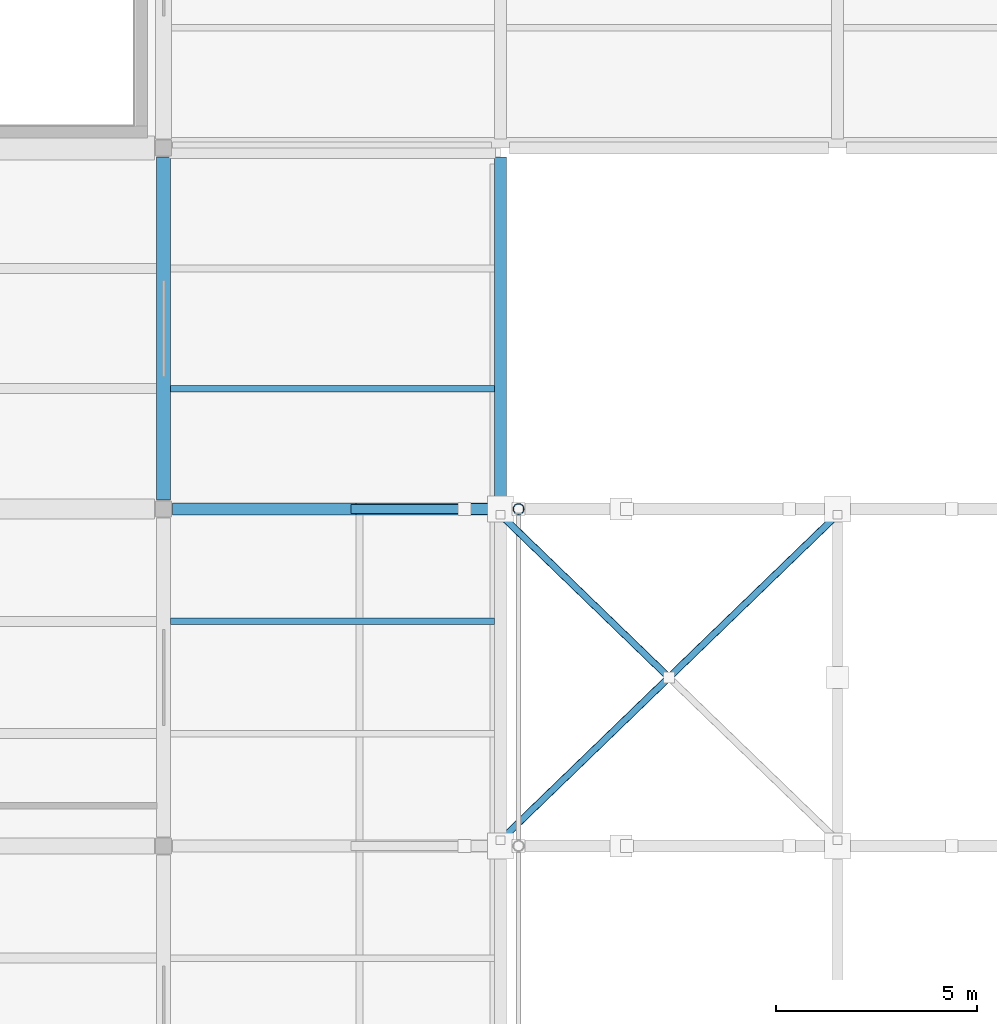
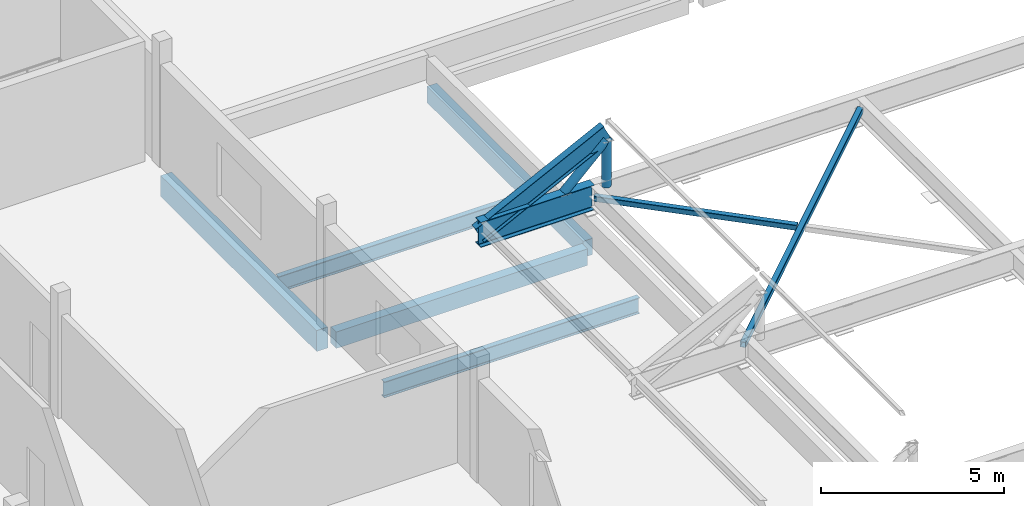
# One storey, part 16 of 41: 7 beams, 4 members.
"""IFC4 building model written with IfcOpenShell, lengths in metres."""

from ifc_helpers import new_model, si_unit, direction, frame, origin, origin_2d, place, context, subcontext, project, spatial, rectangle, hollow_rectangle, hollow_circle, i_section, extrude, material, material_profile, profile_set, type_object, element, save


model = new_model("IFC4")

# Units and contexts
model_context = context("Model", 3, precision=1e-05, world=origin(), true_north=direction((0.0, 1.0)))
body_context = subcontext(model_context, "Body", "Model", "MODEL_VIEW")
ifc_project = project(units=[si_unit("LENGTHUNIT", "METRE"), si_unit("AREAUNIT", "SQUARE_METRE"), si_unit("VOLUMEUNIT", "CUBIC_METRE"), si_unit("PLANEANGLEUNIT", "RADIAN"), si_unit("MASSUNIT", "GRAM", prefix="KILO")], contexts=[model_context])

# Site, building, storey
site_placement = place(None, origin())
site = spatial("IfcSite", under=ifc_project, at=site_placement, CompositionType="ELEMENT")
building_placement = place(site_placement, origin())
building = spatial("IfcBuilding", under=site, at=building_placement, Name="Vireocrest Preparatory School", CompositionType="ELEMENT")
storey_placement = place(building_placement, frame((0.0, 0.0, 21.60009765625)))
storey = spatial("IfcBuildingStorey", under=building, at=storey_placement, Name="L05", CompositionType="ELEMENT", Elevation=21.60009765625)

# Members
ifc_material_1 = material(Name="Painted white steel ASTM A500 Grade C", Category="steel")
ifc_material_profile_1 = material_profile(ifc_material_1, hollow_rectangle(XDim=0.177734375, YDim=0.177734375, WallThickness=0.0087890625, InnerFilletRadius=0.0087890625, OuterFilletRadius=0.017822265625, at=origin_2d()), Name="HSS7X7X3/8")
ifc_profile_set_1 = profile_set([ifc_material_profile_1], Name="Painted white steel ASTM A500 Grade C")
member_type_1 = type_object("IfcMemberType", Name="Canopy Plane Wind Brace HSS7X7X3/8", PredefinedType="BRACE", material=ifc_profile_set_1)
member_1_placement = place(storey_placement, frame((67.199951171875, 77.5400390625, 1.41748046875), z_axis=(0.718999862648, 0.695010213963, 0.0), x_axis=(-0.695010213963, 0.718999862648, 0.0)))
element("IfcMember", 1, at=member_1_placement, inside=storey, type_object=member_type_1, Name="Canopy Wind Brace BR2-7-W", PredefinedType="BRACE", context=body_context, shape_type="SweptSolid", body=[
    extrude(hollow_rectangle(XDim=0.177734375, YDim=0.177734375, WallThickness=0.0087890625, InnerFilletRadius=0.0087890625, OuterFilletRadius=0.017822265625, at=origin_2d()), origin(), (0.0, 0.0, 1.0), 11.68310546875),
])
member_2_placement = place(storey_placement, frame((67.199951171875, 85.659912109375, 1.41748046875), z_axis=(0.718995483653, -0.695014744079, 0.0), x_axis=(0.695014744079, 0.718995483653, 0.0)))
element("IfcMember", 2, at=member_2_placement, inside=storey, type_object=member_type_1, Name="Canopy Split Wind X-Brace BR2-7-W-1", PredefinedType="BRACE", context=body_context, shape_type="SweptSolid", body=[
    extrude(hollow_rectangle(XDim=0.177734375, YDim=0.177734375, WallThickness=0.0087890625, InnerFilletRadius=0.0087890625, OuterFilletRadius=0.017822265625, at=origin_2d()), origin(), (0.0, 0.0, 1.0), 5.721435546875),
])

# Beams
ifc_material_2 = material(Name="Structural steel ASTM A992 Grade 50", Category="steel")
ifc_material_profile_2 = material_profile(ifc_material_2, i_section(OverallWidth=0.2919921875, OverallDepth=0.8349609375, WebThickness=0.013916015625, FlangeThickness=0.018798828125, FilletRadius=0.02001953125, at=origin_2d()), Name="W33X118")
ifc_profile_set_2 = profile_set([ifc_material_profile_2], Name="Structural steel ASTM A992 Grade 50")
beam_type_1 = type_object("IfcBeamType", Name="Central Court Canopy Primary Girder W33X118", PredefinedType="BEAM", material=ifc_profile_set_2)
beam_1_placement = place(storey_placement, frame((63.60009765625, 85.800048828125, 1.41748046875), z_axis=(1.0, 0.0, 0.0), x_axis=(0.0, 1.0, 0.0)))
element("IfcBeam", 3, at=beam_1_placement, inside=storey, type_object=beam_type_1, Name="Central Court Canopy Primary Girder CG1-8W", PredefinedType="BEAM", context=body_context, shape_type="SweptSolid", body=[
    extrude(i_section(OverallWidth=0.2919921875, OverallDepth=0.8349609375, WebThickness=0.013916015625, FlangeThickness=0.018798828125, FilletRadius=0.02001953125, at=origin_2d()), origin(), (0.0, 0.0, 1.0), 3.599853515625),
])
ifc_material_profile_3 = material_profile(ifc_material_2, i_section(OverallWidth=0.22802734375, OverallDepth=0.60302734375, WebThickness=0.010498046875, FlangeThickness=0.014892578125, FilletRadius=0.01611328125, at=origin_2d()), Name="W24X68")
ifc_profile_set_3 = profile_set([ifc_material_profile_3], Name="Structural steel ASTM A992 Grade 50")
beam_type_2 = type_object("IfcBeamType", Name="Dining Pavilion Roof Girder W24X68", PredefinedType="BEAM", material=ifc_profile_set_3)
beam_2_placement = place(storey_placement, frame((63.60009765625, 85.800048828125, 1.374267578125), z_axis=(0.894858343539, 0.0, 0.446350249243), x_axis=(0.0, 1.0, 0.0)))
element("IfcBeam", 4, at=beam_2_placement, inside=storey, type_object=beam_type_2, Name="Canopy Rafter Chord SB4-8-1", PredefinedType="BEAM", context=body_context, shape_type="SweptSolid", body=[
    extrude(i_section(OverallWidth=0.22802734375, OverallDepth=0.60302734375, WebThickness=0.010498046875, FlangeThickness=0.014892578125, FilletRadius=0.01611328125, at=origin_2d()), origin(), (0.0, 0.0, 1.0), 4.525634765625),
])
ifc_material_profile_4 = material_profile(ifc_material_2, i_section(OverallWidth=0.166015625, OverallDepth=0.529052734375, WebThickness=0.009765625, FlangeThickness=0.013671875, FilletRadius=0.014892578125, at=origin_2d()), Name="W21X50")
ifc_profile_set_4 = profile_set([ifc_material_profile_4], Name="Structural steel ASTM A992 Grade 50")
beam_type_3 = type_object("IfcBeamType", Name="Pavilion Roof Joist W21X50", PredefinedType="JOIST", material=ifc_profile_set_4)
for number, where, z_axis, x_axis, name in (
    (5, (58.97509765625, 83.0, -0.484619140625), (1.0, 0.0, 0.0), (0.0, 1.0, 0.0), "Secondary Joist SJ1 L05-1650"),
    (6, (58.97509765625, 88.800048828125, -0.484619140625), (1.0, 0.0, 0.0), (0.0, 1.0, 0.0), "Secondary Joist SJ1 L05-1651"),
):
    element("IfcBeam", number, at=place(storey_placement, frame(where, z_axis=z_axis, x_axis=x_axis)), inside=storey, type_object=beam_type_3, Name=name, PredefinedType="JOIST", context=body_context, shape_type="SweptSolid", body=[
        extrude(i_section(OverallWidth=0.166015625, OverallDepth=0.529052734375, WebThickness=0.009765625, FlangeThickness=0.013671875, FilletRadius=0.014892578125, at=origin_2d()), origin(), (0.0, 0.0, 1.0), 8.074951171875),
    ])
ifc_material_3 = material(Name="Concrete 40 MPa", Category="concrete")
ifc_material_profile_5 = material_profile(ifc_material_3, rectangle(XDim=0.35009765625, YDim=0.699951171875, at=origin_2d()), Name="RC 350x700")
ifc_profile_set_5 = profile_set([ifc_material_profile_5], Name="Concrete 40 MPa")
beam_type_4 = type_object("IfcBeamType", Name="RC Laboratory Girder 350x700", PredefinedType="BEAM", material=ifc_profile_set_5)
beam_3_placement = place(storey_placement, frame((58.800048828125, 86.02490234375, -0.610107421875), z_axis=(0.0, 1.0, 0.0), x_axis=(-1.0, 0.0, 0.0)))
element("IfcBeam", 7, at=beam_3_placement, inside=storey, type_object=beam_type_4, Name="Primary Girder B06 L05-1583", PredefinedType="BEAM", context=body_context, shape_type="SweptSolid", body=[
    extrude(rectangle(XDim=0.35009765625, YDim=0.699951171875, at=origin_2d()), origin(), (0.0, 0.0, 1.0), 8.550048828125),
])
ifc_material_profile_6 = material_profile(ifc_material_3, rectangle(XDim=0.300048828125, YDim=0.550048828125, at=origin_2d()), Name="RC 300x550")
ifc_profile_set_6 = profile_set([ifc_material_profile_6], Name="Concrete 40 MPa")
beam_type_5 = type_object("IfcBeamType", Name="RC Roof Girder 300x550", PredefinedType="BEAM", material=ifc_profile_set_6)
beam_4_placement = place(storey_placement, frame((59.02490234375, 85.800048828125, -0.4951171875), z_axis=(1.0, 0.0, 0.0), x_axis=(0.0, 1.0, 0.0)))
element("IfcBeam", 8, at=beam_4_placement, inside=storey, type_object=beam_type_5, Name="Primary Girder B02 L05-1544", PredefinedType="BEAM", context=body_context, shape_type="SweptSolid", body=[
    extrude(rectangle(XDim=0.300048828125, YDim=0.550048828125, at=origin_2d()), origin(), (0.0, 0.0, 1.0), 7.9501953125),
])
beam_5_placement = place(storey_placement, frame((67.199951171875, 86.02490234375, -0.4951171875), z_axis=(0.0, 1.0, 0.0), x_axis=(-1.0, 0.0, 0.0)))
element("IfcBeam", 9, at=beam_5_placement, inside=storey, type_object=beam_type_5, Name="Primary Girder B02 L05-1591", PredefinedType="BEAM", context=body_context, shape_type="SweptSolid", body=[
    extrude(rectangle(XDim=0.300048828125, YDim=0.550048828125, at=origin_2d()), origin(), (0.0, 0.0, 1.0), 8.550048828125),
])

# Members
ifc_material_profile_7 = material_profile(ifc_material_1, hollow_circle(Radius=0.136474609375, WallThickness=0.0126953125, at=origin_2d()), Name="HSS10.750X0.500")
ifc_profile_set_7 = profile_set([ifc_material_profile_7], Name="Painted white steel ASTM A500 Grade C")
member_type_2 = type_object("IfcMemberType", Name="White Steel Clerestory Strut HSS10.750X0.500", PredefinedType="USERDEFINED", material=ifc_profile_set_7)
member_3_placement = place(storey_placement, frame((67.64990234375, 85.800048828125, 1.577392578125), z_axis=(0.0, 0.0, 1.0), x_axis=(1.0, 0.0, 0.0)))
element("IfcMember", 10, at=member_3_placement, inside=storey, type_object=member_type_2, Name="Canopy Truss Web Vertical VS3-8-2", ObjectType="STRUT", PredefinedType="USERDEFINED", context=body_context, shape_type="SweptSolid", body=[
    extrude(hollow_circle(Radius=0.136474609375, WallThickness=0.0126953125, at=origin_2d()), origin(), (0.0, 0.0, 1.0), 1.54052734375),
])
member_4_placement = place(storey_placement, frame((66.300048828125, 85.800048828125, 1.81494140625), z_axis=(0.719488902292, 0.0, 0.694503937698), x_axis=(0.0, 1.0, 0.0)))
element("IfcMember", 11, at=member_4_placement, inside=storey, type_object=member_type_2, Name="Canopy Truss Web Strut VS3-8-1", ObjectType="STRUT", PredefinedType="USERDEFINED", context=body_context, shape_type="SweptSolid", body=[
    extrude(hollow_circle(Radius=0.136474609375, WallThickness=0.0126953125, at=origin_2d()), origin(), (0.0, 0.0, 1.0), 1.876220703125),
])

save(model, "model.ifc")
